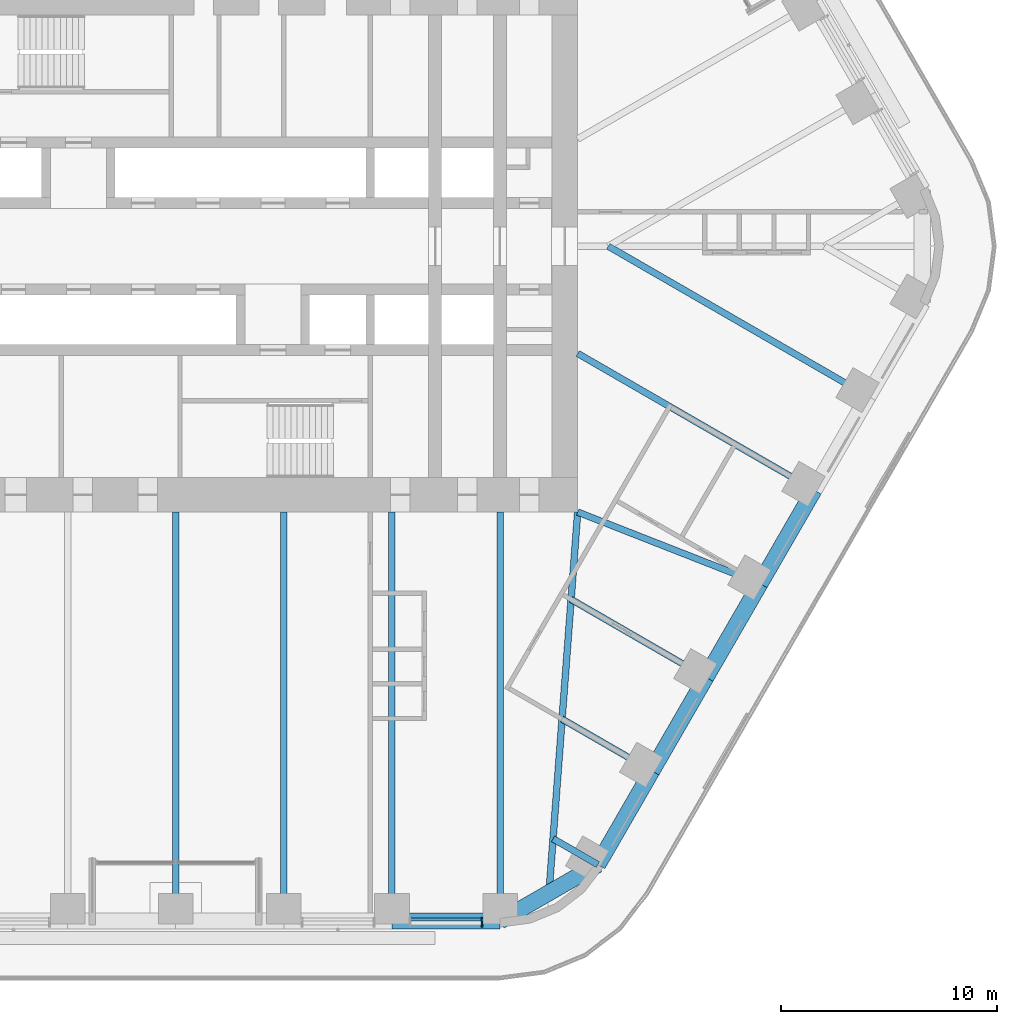
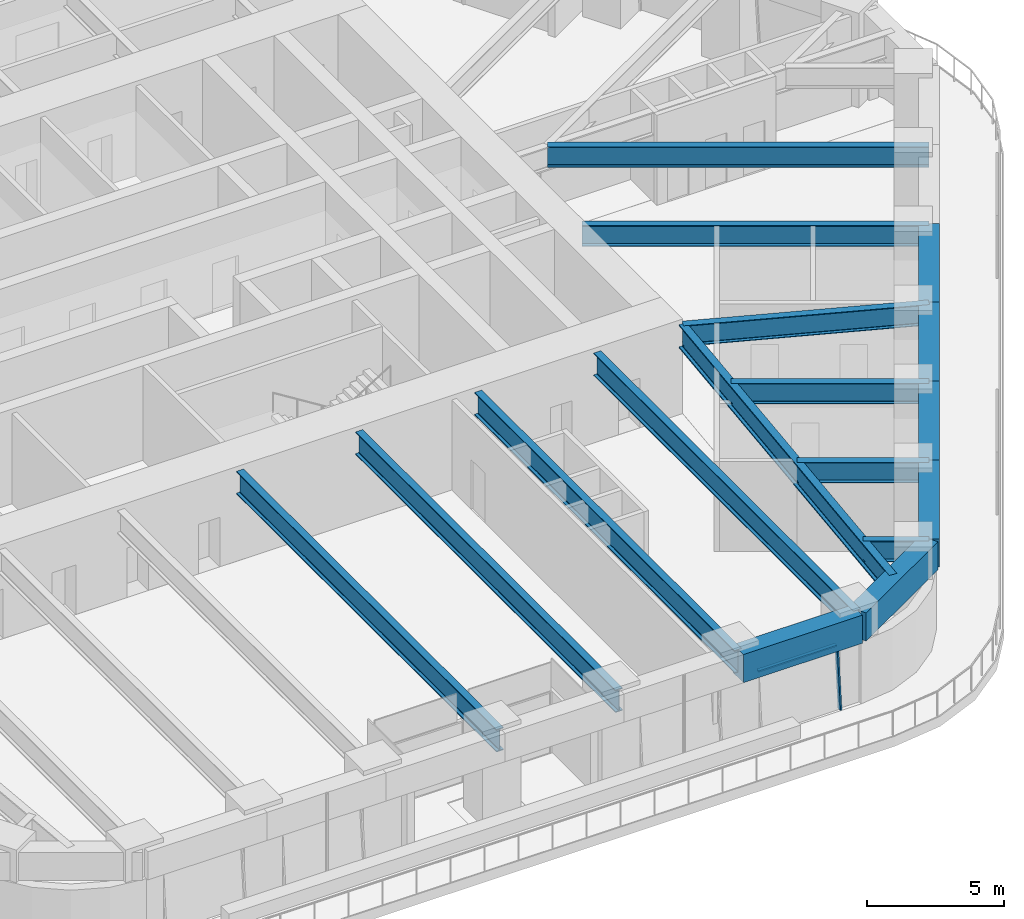
# One storey, part 5 of 24: 17 beams, 2 members, 1 element without a shape of its own.
"""IFC4 building model written with IfcOpenShell, lengths in metres."""

from ifc_helpers import new_model, si_unit, direction, frame, origin, origin_2d, place, context, subcontext, project, spatial, rectangle, i_section, extrude, material, material_profile, profile_set, type_object, element, aggregate, save


model = new_model("IFC4")

# Units and contexts
model_context = context("Model", 3, precision=1e-05, world=origin(), true_north=direction((0.0, 1.0)))
body_context = subcontext(model_context, "Body", "Model", "MODEL_VIEW")
ifc_project = project(units=[si_unit("LENGTHUNIT", "METRE"), si_unit("AREAUNIT", "SQUARE_METRE"), si_unit("VOLUMEUNIT", "CUBIC_METRE"), si_unit("PLANEANGLEUNIT", "RADIAN"), si_unit("MASSUNIT", "GRAM", prefix="KILO")], contexts=[model_context])

# Site, building, storey
site_placement = place(None, origin())
site = spatial("IfcSite", under=ifc_project, at=site_placement, CompositionType="ELEMENT")
building_placement = place(site_placement, origin())
building = spatial("IfcBuilding", under=site, at=building_placement, Name="Tarfa Lantern Tower", CompositionType="ELEMENT")
storey_placement = place(building_placement, frame((0.0, 0.0, 169.89990234375)))
storey = spatial("IfcBuildingStorey", under=building, at=storey_placement, Name="L38", CompositionType="ELEMENT", Elevation=169.89990234375)

# Curtain wall, members
ifc_material_1 = material(Name="Aluminium framed curtain wall", Category="aluminium")
curtain_wall_type = type_object("IfcCurtainWallType", Name="CW2 CANTED GLAZING MID ZONE 2750", PredefinedType="USERDEFINED", material=ifc_material_1)
curtain_wall_placement = place(storey_placement, origin())
curtain_wall = element("IfcCurtainWall", 1, at=curtain_wall_placement, inside=storey, type_object=curtain_wall_type, Name="CW2 SB L38", ObjectType="CURTAIN WALL", PredefinedType="USERDEFINED")
ifc_material_2 = material(Name="Aluminium mullion", Category="aluminium")
ifc_material_profile_1 = material_profile(ifc_material_2, rectangle(XDim=0.06494140625, YDim=0.199951171875, at=origin_2d()), Name="AL MULLION 65x200")
ifc_profile_set_1 = profile_set([ifc_material_profile_1], Name="Aluminium mullion")
member_type_1 = type_object("IfcMemberType", Name="CWM1 MULLION 65x200", PredefinedType="MULLION", material=ifc_profile_set_1)
member_1_placement = place(storey_placement, frame((14.1787109375, -31.39990234375, 0.0), z_axis=(0.0, 0.090535746043, 0.995893206468), x_axis=(-1.0, 0.0, 0.0)))
member_1 = element("IfcMember", 2, at=member_1_placement, type_object=member_type_1, Name="CW2 mullion 2", PredefinedType="MULLION", context=body_context, shape_type="SweptSolid", body=[
    extrude(rectangle(XDim=0.06494140625, YDim=0.199951171875, at=origin_2d()), origin(), (0.0, 0.0, 1.0), 2.76123046875),
])
ifc_material_3 = material(Name="Aluminium transom", Category="aluminium")
ifc_material_profile_2 = material_profile(ifc_material_3, rectangle(XDim=0.14990234375, YDim=0.06494140625, at=origin_2d()), Name="AL TRANSOM 150x65")
ifc_profile_set_2 = profile_set([ifc_material_profile_2], Name="Aluminium transom")
member_type_2 = type_object("IfcMemberType", Name="CWT1 TRANSOM 150x65", PredefinedType="USERDEFINED", material=ifc_profile_set_2)
member_2_placement = place(storey_placement, frame((10.872314453125, -31.153076171875, 2.717529296875), z_axis=(1.0, 0.0, 0.0), x_axis=(0.0, 1.0, 0.0)))
member_2 = element("IfcMember", 3, at=member_2_placement, type_object=member_type_2, Name="CW2 transom 1.2", ObjectType="TRANSOM", PredefinedType="USERDEFINED", context=body_context, shape_type="SweptSolid", body=[
    extrude(rectangle(XDim=0.14990234375, YDim=0.06494140625, at=origin_2d()), origin(), (0.0, 0.0, 1.0), 3.273681640625),
])
aggregate(curtain_wall, [member_1, member_2])

# Beams
ifc_material_4 = material(Name="Concrete C80/95", Category="concrete")
ifc_material_profile_3 = material_profile(ifc_material_4, rectangle(XDim=0.75, YDim=1.25, at=origin_2d()), Name="RC 750x1250")
ifc_profile_set_3 = profile_set([ifc_material_profile_3], Name="Concrete C80/95")
beam_type_1 = type_object("IfcBeamType", Name="EB2 RC 750x1250", PredefinedType="SPANDREL", material=ifc_profile_set_3)
beam_1_placement = place(storey_placement, frame((10.00732421875, -31.219970703125, 3.375), z_axis=(1.0, 0.0, 0.0), x_axis=(0.0, 1.0, 0.0)))
element("IfcBeam", 4, at=beam_1_placement, inside=storey, type_object=beam_type_1, Name="Edge beam S5", PredefinedType="SPANDREL", context=body_context, shape_type="SweptSolid", body=[
    extrude(rectangle(XDim=0.75, YDim=1.25, at=origin_2d()), origin(), (0.0, 0.0, 1.0), 5.003662109375),
])
beam_2_placement = place(storey_placement, frame((15.010986328125, -31.219970703125, 3.375), z_axis=(0.86604150238, 0.499972115377, 0.0), x_axis=(-0.499972115377, 0.86604150238, 0.0)))
element("IfcBeam", 5, at=beam_2_placement, inside=storey, type_object=beam_type_1, Name="Edge beam S6", PredefinedType="SPANDREL", context=body_context, shape_type="SweptSolid", body=[
    extrude(rectangle(XDim=0.75, YDim=1.25, at=origin_2d()), origin(), (0.0, 0.0, 1.0), 5.219970703125),
])
beam_3_placement = place(storey_placement, frame((19.53173828125, -28.610107421875, 3.375), z_axis=(0.500001197378, 0.866024712477, 0.0), x_axis=(-0.866024712477, 0.500001197378, 0.0)))
element("IfcBeam", 6, at=beam_3_placement, inside=storey, type_object=beam_type_1, Name="Edge beam SE0", PredefinedType="SPANDREL", context=body_context, shape_type="SweptSolid", body=[
    extrude(rectangle(XDim=0.75, YDim=1.25, at=origin_2d()), origin(), (0.0, 0.0, 1.0), 5.00390625),
])
for number, where, z_axis, x_axis, name in (
    (7, (22.03369140625, -24.276611328125, 3.375), (0.49998573051, 0.866033642122, 0.0), (-0.866033642122, 0.49998573051, 0.0), "Edge beam SE1"),
    (8, (24.535400390625, -19.943359375, 3.375), (0.500022324899, 0.866012514114, 0.0), (-0.866012514114, 0.500022324899, 0.0), "Edge beam SE2"),
    (9, (27.037353515625, -15.610107421875, 3.375), (0.499964603504, 0.866045838996, 0.0), (-0.866045838996, 0.499964603504, 0.0), "Edge beam SE3"),
):
    element("IfcBeam", number, at=place(storey_placement, frame(where, z_axis=z_axis, x_axis=x_axis)), inside=storey, type_object=beam_type_1, Name=name, PredefinedType="SPANDREL", context=body_context, shape_type="SweptSolid", body=[
        extrude(rectangle(XDim=0.75, YDim=1.25, at=origin_2d()), origin(), (0.0, 0.0, 1.0), 5.003662109375),
    ])
ifc_material_5 = material(Name="Steel S460M", Category="steel")
ifc_material_profile_4 = material_profile(ifc_material_5, i_section(OverallWidth=0.302001953125, OverallDepth=1.008056640625, WebThickness=0.02099609375, FlangeThickness=0.0400390625, FilletRadius=0.030029296875, at=origin_2d()), Name="UB1016x305x349")
ifc_profile_set_4 = profile_set([ifc_material_profile_4], Name="Steel S460M")
beam_type_2 = type_object("IfcBeamType", Name="UB1016x305x349", PredefinedType="BEAM", material=ifc_profile_set_4)
for number, where, z_axis, x_axis, name in (
    (10, (0.0, -31.219970703125, 3.49609375), (0.0, 1.0, 0.0), (-1.0, 0.0, 0.0), "Floor beam S3"),
    (11, (5.003662109375, -31.219970703125, 3.49609375), (0.0, 1.0, 0.0), (-1.0, 0.0, 0.0), "Floor beam S4"),
    (12, (10.00732421875, -31.219970703125, 3.49609375), (0.0, 1.0, 0.0), (-1.0, 0.0, 0.0), "Floor beam S5"),
    (13, (15.010986328125, -31.219970703125, 3.49609375), (0.0, 1.0, 0.0), (-1.0, 0.0, 0.0), "Floor beam S6"),
):
    element("IfcBeam", number, at=place(storey_placement, frame(where, z_axis=z_axis, x_axis=x_axis)), inside=storey, type_object=beam_type_2, Name=name, PredefinedType="BEAM", context=body_context, shape_type="SweptSolid", body=[
        extrude(i_section(OverallWidth=0.302001953125, OverallDepth=1.008056640625, WebThickness=0.02099609375, FlangeThickness=0.0400390625, FilletRadius=0.030029296875, at=origin_2d()), origin(), (0.0, 0.0, 1.0), 18.919921875),
    ])
ifc_material_profile_5 = material_profile(ifc_material_5, i_section(OverallWidth=0.30859375, OverallDepth=1.036376953125, WebThickness=0.030029296875, FlangeThickness=0.05419921875, FilletRadius=0.030029296875, at=origin_2d()), Name="UB1016x305x487")
ifc_profile_set_5 = profile_set([ifc_material_profile_5], Name="Steel S460M")
beam_type_3 = type_object("IfcBeamType", Name="UB1016x305x487", PredefinedType="BEAM", material=ifc_profile_set_5)
beam_4_placement = place(storey_placement, frame((18.60009765625, -12.300048828125, 3.48193359375), z_axis=(-0.075211516041, -0.99716760269, 0.0), x_axis=(0.99716760269, -0.075211516041, 0.0)))
element("IfcBeam", 14, at=beam_4_placement, inside=storey, type_object=beam_type_3, Name="Hip girder SE", PredefinedType="BEAM", context=body_context, shape_type="SweptSolid", body=[
    extrude(i_section(OverallWidth=0.30859375, OverallDepth=1.036376953125, WebThickness=0.030029296875, FlangeThickness=0.05419921875, FilletRadius=0.030029296875, at=origin_2d()), origin(), (0.0, 0.0, 1.0), 17.6650390625),
])
ifc_material_profile_6 = material_profile(ifc_material_5, i_section(OverallWidth=0.305419921875, OverallDepth=0.91845703125, WebThickness=0.017333984375, FlangeThickness=0.02783203125, FilletRadius=0.01904296875, at=origin_2d()), Name="UB914x305x253")
ifc_profile_set_6 = profile_set([ifc_material_profile_6], Name="Steel S460M")
beam_type_4 = type_object("IfcBeamType", Name="UB914x305x253", PredefinedType="BEAM", material=ifc_profile_set_6)
beam_5_placement = place(storey_placement, frame((19.53173828125, -28.610107421875, 3.541015625), z_axis=(-0.865998640954, 0.500046351717, 0.0), x_axis=(-0.500046351717, -0.865998640954, 0.0)))
element("IfcBeam", 15, at=beam_5_placement, inside=storey, type_object=beam_type_4, Name="Floor beam SE0", PredefinedType="BEAM", context=body_context, shape_type="SweptSolid", body=[
    extrude(i_section(OverallWidth=0.305419921875, OverallDepth=0.91845703125, WebThickness=0.017333984375, FlangeThickness=0.02783203125, FilletRadius=0.01904296875, at=origin_2d()), origin(), (0.0, 0.0, 1.0), 2.392333984375),
])
beam_6_placement = place(storey_placement, frame((22.03369140625, -24.276611328125, 3.541015625), z_axis=(-0.866030550462, 0.499991085587, 0.0), x_axis=(-0.499991085587, -0.866030550462, 0.0)))
element("IfcBeam", 16, at=beam_6_placement, inside=storey, type_object=beam_type_4, Name="Floor beam SE1", PredefinedType="BEAM", context=body_context, shape_type="SweptSolid", body=[
    extrude(i_section(OverallWidth=0.305419921875, OverallDepth=0.91845703125, WebThickness=0.017333984375, FlangeThickness=0.02783203125, FilletRadius=0.01904296875, at=origin_2d()), origin(), (0.0, 0.0, 1.0), 4.798828125),
])
beam_7_placement = place(storey_placement, frame((24.535400390625, -19.943359375, 3.541015625), z_axis=(-0.86602647304, 0.499998147991, 0.0), x_axis=(-0.499998147991, -0.86602647304, 0.0)))
element("IfcBeam", 17, at=beam_7_placement, inside=storey, type_object=beam_type_4, Name="Floor beam SE2", PredefinedType="BEAM", context=body_context, shape_type="SweptSolid", body=[
    extrude(i_section(OverallWidth=0.305419921875, OverallDepth=0.91845703125, WebThickness=0.017333984375, FlangeThickness=0.02783203125, FilletRadius=0.01904296875, at=origin_2d()), origin(), (0.0, 0.0, 1.0), 7.20556640625),
])
beam_8_placement = place(storey_placement, frame((27.037353515625, -15.610107421875, 3.541015625), z_axis=(-0.930923282782, 0.365214788274, 0.0), x_axis=(-0.365214788274, -0.930923282782, 0.0)))
element("IfcBeam", 18, at=beam_8_placement, inside=storey, type_object=beam_type_4, Name="Floor beam SE3", PredefinedType="BEAM", context=body_context, shape_type="SweptSolid", body=[
    extrude(i_section(OverallWidth=0.305419921875, OverallDepth=0.91845703125, WebThickness=0.017333984375, FlangeThickness=0.02783203125, FilletRadius=0.01904296875, at=origin_2d()), origin(), (0.0, 0.0, 1.0), 9.063232421875),
])
beam_9_placement = place(storey_placement, frame((29.5390625, -11.276611328125, 3.541015625), z_axis=(-0.866023362995, 0.500003534735, 0.0), x_axis=(-0.500003534735, -0.866023362995, 0.0)))
element("IfcBeam", 19, at=beam_9_placement, inside=storey, type_object=beam_type_4, Name="Floor beam SE4", PredefinedType="BEAM", context=body_context, shape_type="SweptSolid", body=[
    extrude(i_section(OverallWidth=0.305419921875, OverallDepth=0.91845703125, WebThickness=0.017333984375, FlangeThickness=0.02783203125, FilletRadius=0.01904296875, at=origin_2d()), origin(), (0.0, 0.0, 1.0), 12.63134765625),
])
beam_10_placement = place(storey_placement, frame((32.041015625, -6.943359375, 3.541015625), z_axis=(-0.866023096411, 0.500003996466, 0.0), x_axis=(-0.500003996466, -0.866023096411, 0.0)))
element("IfcBeam", 20, at=beam_10_placement, inside=storey, type_object=beam_type_4, Name="Floor beam SE5", PredefinedType="BEAM", context=body_context, shape_type="SweptSolid", body=[
    extrude(i_section(OverallWidth=0.305419921875, OverallDepth=0.91845703125, WebThickness=0.017333984375, FlangeThickness=0.02783203125, FilletRadius=0.01904296875, at=origin_2d()), origin(), (0.0, 0.0, 1.0), 13.88671875),
])

save(model, "model.ifc")
